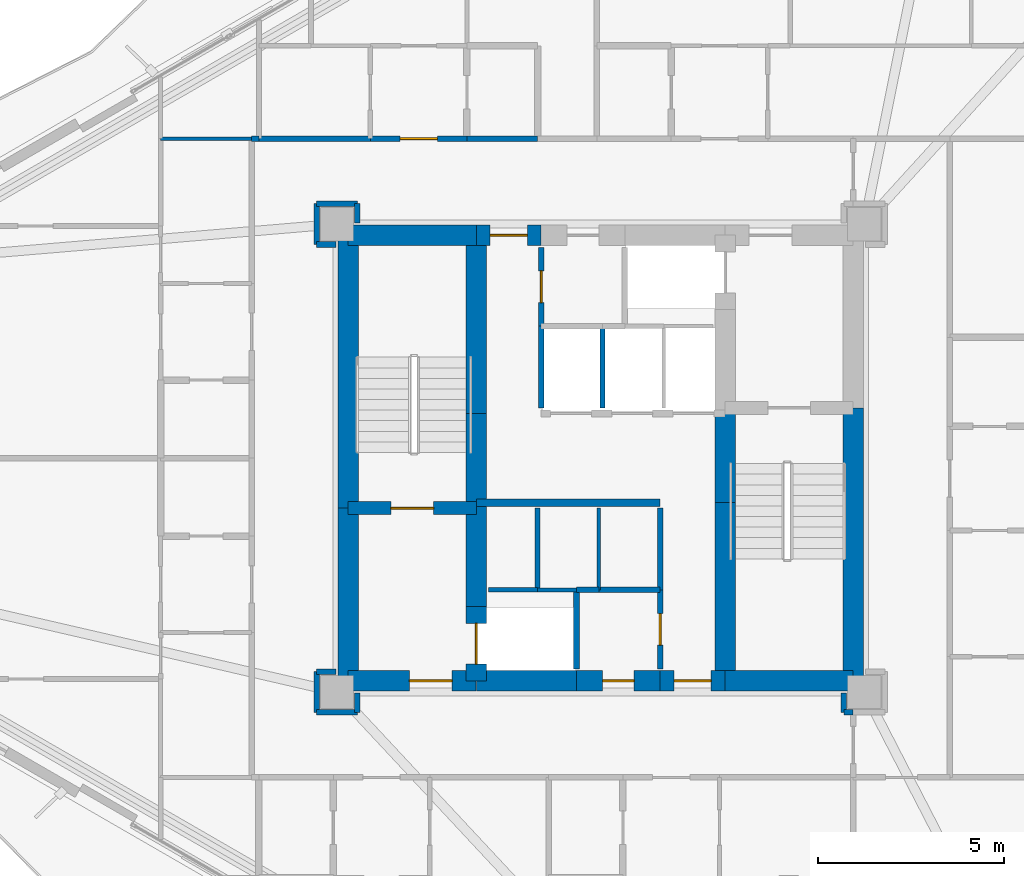
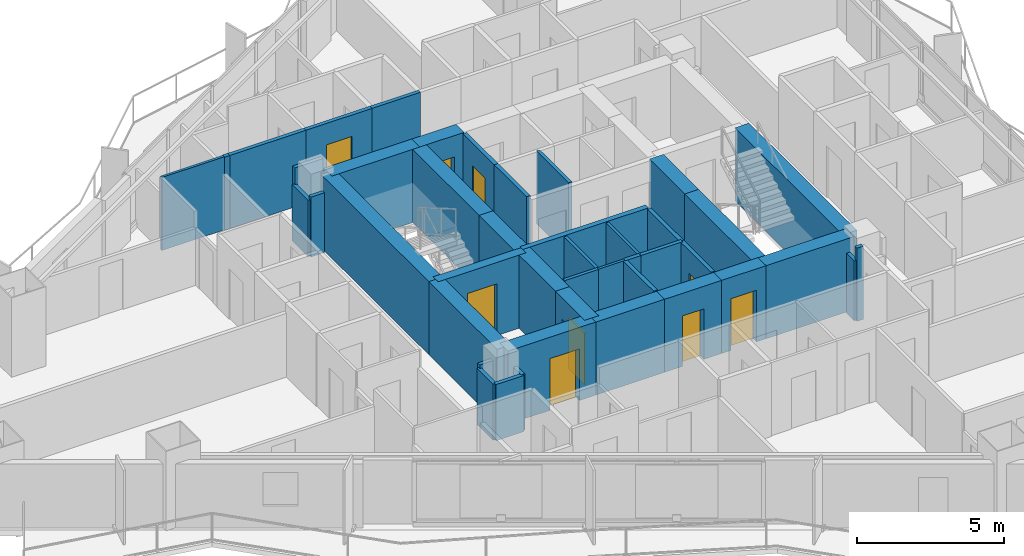
# One storey, part 13 of 18: 45 walls, 9 doors, 9 openings.
"""IFC4 building model written with IfcOpenShell, lengths in metres."""

import ifcopenshell
import ifcopenshell.guid

model = None  # the IFC model being written
_history = None  # IfcOwnerHistory: only IFC2X3 demands one
_inside = {}  # id of a spatial element -> (the spatial element, [elements in it])
_under = {}  # id of a project, library or spatial element -> (it, [spatial elements below it])
_declared = {}  # id of a project -> (the project, [libraries it declares])
_typed = {}  # id of a type object -> (the type object, [elements of that type])
_made_of = {}  # id of a material, layer set ... -> (it, [elements and type objects made of it])


def new_model(schema):
    """Start an empty IFC model of exactly this schema.

    Asked for "IFC4X3", IfcOpenShell would pick the latest addendum, in which some entities
    have other attributes; the version numbers below select the first issue.
    IFC2X3 requires an IfcOwnerHistory on every rooted entity: one is made here for all.
    """
    global model, _history
    if schema == "IFC4X3":
        model = ifcopenshell.file(schema_version=(4, 3, 0, 0))
    else:
        model = ifcopenshell.file(schema=schema)
    _inside.clear()
    _under.clear()
    _declared.clear()
    _typed.clear()
    _made_of.clear()
    _history = None
    if model.schema == "IFC2X3":
        org = make("IfcOrganization", Name="unknown")
        user = make(
            "IfcPersonAndOrganization",
            ThePerson=make("IfcPerson", FamilyName="unknown"),
            TheOrganization=org,
        )
        app = make(
            "IfcApplication",
            ApplicationDeveloper=org,
            Version="unknown",
            ApplicationFullName="unknown",
            ApplicationIdentifier="unknown",
        )
        _history = make(
            "IfcOwnerHistory",
            OwningUser=user,
            OwningApplication=app,
            ChangeAction="ADDED",
            CreationDate=0,
        )
    return model


def make(cls, **values):
    """One entity of the class cls with the attributes given. An attribute that is None is left unset."""
    return model.create_entity(
        cls, **{name: value for name, value in values.items() if value is not None}
    )


def rooted(cls, **values):
    """An entity with a GlobalId (a new one), such as an element, a storey or a relation."""
    return make(cls, GlobalId=ifcopenshell.guid.new(), OwnerHistory=_history, **values)


def si_unit(unit_type, name, prefix=None):
    """IfcSIUnit, for example si_unit("LENGTHUNIT", "METRE", prefix="MILLI")."""
    return make("IfcSIUnit", UnitType=unit_type, Prefix=prefix, Name=name)


def assignment(units):
    """IfcUnitAssignment: the units of a project."""
    return None if units is None else make("IfcUnitAssignment", Units=units)


def point(xyz):
    """IfcCartesianPoint."""
    return None if xyz is None else make("IfcCartesianPoint", Coordinates=xyz)


def direction(xyz):
    """IfcDirection."""
    return None if xyz is None else make("IfcDirection", DirectionRatios=xyz)


def frame(location, z_axis=None, x_axis=None):
    """IfcAxis2Placement3D, a coordinate frame: its origin and axes. An axis left out is left unset."""
    return make(
        "IfcAxis2Placement3D",
        Location=point(location),
        Axis=direction(z_axis),
        RefDirection=direction(x_axis),
    )


def frame_2d(location, x_axis=None):
    """IfcAxis2Placement2D, a coordinate frame in the plane: its origin and x axis."""
    return make(
        "IfcAxis2Placement2D", Location=point(location), RefDirection=direction(x_axis)
    )


def origin():
    """The frame at (0, 0, 0) with its axes left unset."""
    return frame((0.0, 0.0, 0.0))


def place(relative_to, where):
    """IfcLocalPlacement: puts the frame where relative to a parent placement (None: the world)."""
    return make(
        "IfcLocalPlacement", PlacementRelTo=relative_to, RelativePlacement=where
    )


def context(
    kind, dimensions, precision=None, world=None, true_north=None, identifier=None
):
    """IfcGeometricRepresentationContext, for example the 3D "Model" context."""
    return make(
        "IfcGeometricRepresentationContext",
        ContextIdentifier=identifier,
        ContextType=kind,
        CoordinateSpaceDimension=dimensions,
        Precision=precision,
        WorldCoordinateSystem=world,
        TrueNorth=true_north,
    )


def subcontext(parent, identifier, kind, view, scale=None):
    """IfcGeometricRepresentationSubContext, for example "Body" below "Model"."""
    return make(
        "IfcGeometricRepresentationSubContext",
        ContextIdentifier=identifier,
        ContextType=kind,
        ParentContext=parent,
        TargetScale=scale,
        TargetView=view,
    )


def project(units=None, contexts=None):
    """IfcProject with its units and contexts."""
    return rooted(
        "IfcProject",
        Name="project",
        RepresentationContexts=contexts,
        UnitsInContext=assignment(units),
    )


def spatial(cls, under=None, at=None, **own):
    """A site, building, storey or space (cls), placed at a placement, below another one or the project."""
    s = rooted(cls, ObjectPlacement=at, **own)
    if under is not None:
        _under.setdefault(under.id(), (under, []))[1].append(s)
    return s


def profile(cls, at=None, kind="AREA", **sizes):
    """A parametric profile (cls). Its sizes go by their IFC names, for example OverallWidth=200.0."""
    return make(cls, ProfileType=kind, Position=at, **sizes)


def rectangle(**sizes):
    """IfcRectangleProfileDef."""
    return profile("IfcRectangleProfileDef", **sizes)


def extrude(swept, where, along, depth):
    """IfcExtrudedAreaSolid: the profile swept, set in the frame where, extruded along a direction by depth."""
    return make(
        "IfcExtrudedAreaSolid",
        SweptArea=swept,
        Position=where,
        ExtrudedDirection=direction(along),
        Depth=depth,
    )


def shape(context_of_items, identifier, shape_type, items):
    """IfcShapeRepresentation: the items that make up one representation, for example the "Body"."""
    return make(
        "IfcShapeRepresentation",
        ContextOfItems=context_of_items,
        RepresentationIdentifier=identifier,
        RepresentationType=shape_type,
        Items=items,
    )


def material(Name=None, Category=None):
    """IfcMaterial."""
    return make("IfcMaterial", Name=Name, Category=Category)


def layer(
    of_material, thickness, ventilated=None, Name=None, Category=None, Priority=None
):
    """IfcMaterialLayer: one layer of a wall or slab, of a material (None: an air gap)."""
    return make(
        "IfcMaterialLayer",
        Material=of_material,
        LayerThickness=thickness,
        IsVentilated=ventilated,
        Name=Name,
        Category=Category,
        Priority=Priority,
    )


def layer_set(layers, Name=None):
    """IfcMaterialLayerSet."""
    return make("IfcMaterialLayerSet", MaterialLayers=layers, LayerSetName=Name)


def made_of(thing, what):
    """Note that an element or type object is made of a material, layer set ...; save() writes the relation."""
    if what is not None:
        _made_of.setdefault(what.id(), (what, []))[1].append(thing)
    return thing


def type_object(cls, material=None, **own):
    """A type object (cls), such as IfcWallType, which elements share."""
    return made_of(rooted(cls, **own), material)


def element(
    cls,
    number,
    at=None,
    inside=None,
    cuts=None,
    type_object=None,
    material=None,
    context=None,
    identifier="Body",
    shape_type=None,
    held_by="IfcProductDefinitionShape",
    body=None,
    shapes=None,
    **own,
):
    """One element of the class cls, such as IfcWall. Its Tag is "e" and its number.

    at: its placement. inside: the storey or other place that contains it. cuts: it is an
    opening in that element (IfcRelVoidsElement). A single representation is given by context,
    identifier, shape_type and body (its items); several are given by shapes. held_by: the class
    of the entity that holds the representations. save() writes the other relations.
    """
    e = rooted(cls, Tag="e%d" % number, ObjectPlacement=at, **own)
    if body is not None:
        shapes = [shape(context, identifier, shape_type, body)]
    if shapes is not None:
        e.Representation = make(held_by, Representations=shapes)
    if inside is not None:
        _inside.setdefault(inside.id(), (inside, []))[1].append(e)
    if cuts is not None:
        rooted(
            "IfcRelVoidsElement", RelatingBuildingElement=cuts, RelatedOpeningElement=e
        )
    if type_object is not None:
        _typed.setdefault(type_object.id(), (type_object, []))[1].append(e)
    return made_of(e, material)


def fill(opening, filler):
    """IfcRelFillsElement: the door or window that sits in an opening."""
    return rooted(
        "IfcRelFillsElement",
        RelatingOpeningElement=opening,
        RelatedBuildingElement=filler,
    )


def aggregate(whole, parts):
    """IfcRelAggregates: a whole, such as a stair, and the parts it consists of."""
    return rooted("IfcRelAggregates", RelatingObject=whole, RelatedObjects=parts)


def save(model, path):
    """Write the relations noted so far, then the file.

    IfcRelAggregates (storeys below a building ...), IfcRelContainedInSpatialStructure (elements
    in a storey), IfcRelDefinesByType, IfcRelAssociatesMaterial and IfcRelDeclares: one each for
    every whole, place, type object, material and project.
    """
    for whole, parts in _under.values():
        aggregate(whole, parts)
    for where, things in _inside.values():
        rooted(
            "IfcRelContainedInSpatialStructure",
            RelatedElements=things,
            RelatingStructure=where,
        )
    for kind, things in _typed.values():
        rooted("IfcRelDefinesByType", RelatedObjects=things, RelatingType=kind)
    for what, things in _made_of.values():
        rooted("IfcRelAssociatesMaterial", RelatedObjects=things, RelatingMaterial=what)
    for by, libraries in _declared.values():
        rooted("IfcRelDeclares", RelatingContext=by, RelatedDefinitions=libraries)
    model.write(path)


model = new_model("IFC4")

# Units and contexts
model_context = context("Model", 3, precision=1e-05, world=origin(), true_north=direction((0.0, 1.0)))
body_context = subcontext(model_context, "Body", "Model", "MODEL_VIEW")
ifc_project = project(units=[si_unit("LENGTHUNIT", "METRE"), si_unit("AREAUNIT", "SQUARE_METRE"), si_unit("VOLUMEUNIT", "CUBIC_METRE"), si_unit("PLANEANGLEUNIT", "RADIAN"), si_unit("MASSUNIT", "GRAM", prefix="KILO")], contexts=[model_context])

# Site, building, storey
site_placement = place(None, origin())
site = spatial("IfcSite", under=ifc_project, at=site_placement, CompositionType="ELEMENT")
building_placement = place(site_placement, origin())
building = spatial("IfcBuilding", under=site, at=building_placement, Name="Mersakhor Tower and Convention Hall", CompositionType="ELEMENT")
storey_placement = place(building_placement, frame((0.0, 0.0, 35.699951171875)))
storey = spatial("IfcBuildingStorey", under=building, at=storey_placement, Name="L09", CompositionType="ELEMENT", Elevation=35.699951171875)

# Walls
ifc_material_1 = material(Name="Lightweight gypsum partition", Category="other")
ifc_layer_1 = layer(ifc_material_1, 0.10009765625)
ifc_layer_set_1 = layer_set([ifc_layer_1], Name="Lightweight gypsum partition")
wall_type_1 = type_object("IfcWallType", Name="WL-PRT-100", PredefinedType="PARTITIONING", material=ifc_layer_set_1)
wall_1_placement = place(storey_placement, frame((27.300048828125, 23.199951171875, 0.0), z_axis=(0.0, 0.0, 1.0), x_axis=(1.0, 0.0, 0.0)))
element("IfcWall", 1, at=wall_1_placement, inside=storey, type_object=wall_type_1, Name="L09 Interior Partition Wall P-002", PredefinedType="PARTITIONING", context=body_context, shape_type="SweptSolid", body=[
    extrude(rectangle(XDim=1.050048828125, YDim=0.10009765625, at=frame_2d((0.52490234375, 0.0))), origin(), (0.0, 0.0, 1.0), 3.0400390625),
])
wall_2_placement = place(storey_placement, frame((28.949951171875, 25.39990234375, 0.0), z_axis=(0.0, 0.0, 1.0), x_axis=(0.0, -1.0, 0.0)))
element("IfcWall", 2, at=wall_2_placement, inside=storey, type_object=wall_type_1, Name="L09 Interior Partition Wall P-008", PredefinedType="PARTITIONING", context=body_context, shape_type="SweptSolid", body=[
    extrude(rectangle(XDim=2.199951171875, YDim=0.10009765625, at=frame_2d((1.10009765625, 0.0))), origin(), (0.0, 0.0, 1.0), 3.0400390625),
])
wall_3_placement = place(storey_placement, frame((17.14990234375, 35.35009765625, 0.0), z_axis=(0.0, 0.0, 1.0), x_axis=(1.0, 0.0, 0.0)))
element("IfcWall", 3, at=wall_3_placement, inside=storey, type_object=wall_type_1, Name="L09 Interior Partition Wall P-112", PredefinedType="PARTITIONING", context=body_context, shape_type="SweptSolid", body=[
    extrude(rectangle(XDim=2.4501953125, YDim=0.10009765625, at=frame_2d((1.22509765625, 0.0))), origin(), (0.0, 0.0, 1.0), 3.0400390625),
])
ifc_material_2 = material(Name="Gypsum board acoustic partition", Category="other")
ifc_layer_2 = layer(ifc_material_2, 0.125)
ifc_layer_set_2 = layer_set([ifc_layer_2], Name="Gypsum board acoustic partition")
wall_type_2 = type_object("IfcWallType", Name="WL-PRT-125", PredefinedType="PARTITIONING", material=ifc_layer_set_2)
wall_4_placement = place(storey_placement, frame((25.97509765625, 23.199951171875, 0.0), z_axis=(0.0, 0.0, 1.0), x_axis=(1.0, 0.0, 0.0)))
element("IfcWall", 4, at=wall_4_placement, inside=storey, type_object=wall_type_2, Name="L09 Interior Partition Wall P-001", PredefinedType="PARTITIONING", context=body_context, shape_type="SweptSolid", body=[
    extrude(rectangle(XDim=1.324951171875, YDim=0.125, at=frame_2d((0.66259765625, 0.0))), origin(), (0.0, 0.0, 1.0), 3.0400390625),
])
for number, where, z_axis, x_axis, name in (
    (5, (27.300048828125, 25.39990234375, 0.0), (0.0, 0.0, 1.0), (0.0, -1.0, 0.0), "L09 Interior Partition Wall P-007"),
    (6, (29.050048828125, 30.300048828125, 0.0), (0.0, 0.0, 1.0), (0.0, -1.0, 0.0), "L09 Interior Partition Wall P-013"),
):
    element("IfcWall", number, at=place(storey_placement, frame(where, z_axis=z_axis, x_axis=x_axis)), inside=storey, type_object=wall_type_2, Name=name, PredefinedType="PARTITIONING", context=body_context, shape_type="SweptSolid", body=[
        extrude(rectangle(XDim=2.199951171875, YDim=0.125, at=frame_2d((1.10009765625, 0.0))), origin(), (0.0, 0.0, 1.0), 3.0400390625),
    ])
ifc_material_3 = material(Name="Fire-rated gypsum board stud partition", Category="other")
ifc_layer_3 = layer(ifc_material_3, 0.14990234375)
ifc_layer_set_3 = layer_set([ifc_layer_3], Name="Fire-rated gypsum board stud partition")
wall_type_3 = type_object("IfcWallType", Name="WL-PRT-150", PredefinedType="PARTITIONING", material=ifc_layer_set_3)
wall_5_placement = place(storey_placement, frame((28.35009765625, 23.199951171875, 0.0), z_axis=(0.0, 0.0, 1.0), x_axis=(0.0, -1.0, 0.0)))
element("IfcWall", 7, at=wall_5_placement, inside=storey, type_object=wall_type_3, Name="L09 Interior Partition Wall P-003", PredefinedType="PARTITIONING", context=body_context, shape_type="SweptSolid", body=[
    extrude(rectangle(XDim=2.125, YDim=0.14990234375, at=frame_2d((1.0625, 0.0))), origin(), (0.0, 0.0, 1.0), 3.0400390625),
])
wall_6_placement = place(storey_placement, frame((28.949951171875, 23.199951171875, 0.0), z_axis=(0.0, 0.0, 1.0), x_axis=(-1.0, 0.0, 0.0)))
element("IfcWall", 8, at=wall_6_placement, inside=storey, type_object=wall_type_3, Name="L09 Interior Partition Wall P-009", PredefinedType="PARTITIONING", context=body_context, shape_type="SweptSolid", body=[
    extrude(rectangle(XDim=0.599853515625, YDim=0.14990234375, at=frame_2d((0.2998046875, 0.0))), origin(), (0.0, 0.0, 1.0), 3.0400390625),
])
wall_7_placement = place(storey_placement, frame((30.60009765625, 25.39990234375, 0.0), z_axis=(0.0, 0.0, 1.0), x_axis=(0.0, -1.0, 0.0)))
element("IfcWall", 9, at=wall_7_placement, inside=storey, type_object=wall_type_3, Name="L09 Interior Partition Wall P-010", PredefinedType="PARTITIONING", context=body_context, shape_type="SweptSolid", body=[
    extrude(rectangle(XDim=2.199951171875, YDim=0.14990234375, at=frame_2d((1.10009765625, 0.0))), origin(), (0.0, 0.0, 1.0), 3.0400390625),
])
wall_8_placement = place(storey_placement, frame((30.60009765625, 23.199951171875, 0.0), z_axis=(0.0, 0.0, 1.0), x_axis=(-1.0, 0.0, 0.0)))
element("IfcWall", 10, at=wall_8_placement, inside=storey, type_object=wall_type_3, Name="L09 Interior Partition Wall P-011", PredefinedType="PARTITIONING", context=body_context, shape_type="SweptSolid", body=[
    extrude(rectangle(XDim=1.650146484375, YDim=0.14990234375, at=frame_2d((0.8251953125, 0.0))), origin(), (0.0, 0.0, 1.0), 3.0400390625),
])
wall_9_placement = place(storey_placement, frame((27.39990234375, 28.10009765625, 0.0), z_axis=(0.0, 0.0, 1.0), x_axis=(0.0, 1.0, 0.0)))
element("IfcWall", 11, at=wall_9_placement, inside=storey, type_object=wall_type_3, Name="L09 Interior Partition Wall P-014", PredefinedType="PARTITIONING", context=body_context, shape_type="SweptSolid", body=[
    extrude(rectangle(XDim=2.199951171875, YDim=0.14990234375, at=frame_2d((1.10009765625, 0.0))), origin(), (0.0, 0.0, 1.0), 3.0400390625),
])

# Wall, opening, door
wall_10_placement = place(storey_placement, frame((30.60009765625, 21.074951171875, 0.0), z_axis=(0.0, 0.0, 1.0), x_axis=(0.0, 1.0, 0.0)))
wall_10 = element("IfcWall", 12, at=wall_10_placement, inside=storey, type_object=wall_type_3, Name="L09 Interior Partition Wall P-017", PredefinedType="PARTITIONING", context=body_context, shape_type="SweptSolid", body=[
    extrude(rectangle(XDim=2.125, YDim=0.14990234375, at=frame_2d((1.0625, 0.0))), origin(), (0.0, 0.0, 1.0), 3.0400390625),
])
opening_1_placement = place(wall_10_placement, frame((0.637451171875, 0.0, 0.0)))
opening_1 = element("IfcOpeningElement", 13, at=opening_1_placement, cuts=wall_10, Name="Opening SVD-01", PredefinedType="OPENING", context=body_context, shape_type="SweptSolid", body=[
    extrude(rectangle(XDim=0.85009765625, YDim=2.10009765625, at=frame_2d((0.425048828125, 1.050048828125))), frame((0.0, 0.0849609375, 0.0), z_axis=(0.0, -1.0, 0.0), x_axis=(1.0, 0.0, 0.0)), (0.0, 0.0, 1.0), 0.169921875),
])
ifc_material_4 = material(Name="Fire-rated hardwood leaf and painted steel frame", Category="steel")
door_type_1 = type_object("IfcDoorType", Name="DR-INT-SVC-085x210", OperationType="NOTDEFINED", PredefinedType="DOOR", material=ifc_material_4)
door_1_placement = place(opening_1_placement, origin())
door_1 = element("IfcDoor", 14, at=door_1_placement, inside=storey, type_object=door_type_1, Name="L09 Central Passenger Lift Lobby to Electrical Switchroom Door", OperationType="SINGLE_SWING_RIGHT", OverallHeight=2.10009765625, OverallWidth=0.85009765625, PredefinedType="DOOR", context=body_context, shape_type="SweptSolid", body=[
    extrude(rectangle(XDim=0.85009765625, YDim=2.10009765625, at=frame_2d((0.425048828125, 1.050048828125))), frame((0.0, 0.02490234375, 0.0), z_axis=(0.0, -1.0, 0.0), x_axis=(1.0, 0.0, 0.0)), (0.0, 0.0, 1.0), 0.050048828125),
])
fill(opening_1, door_1)

wall_11_placement = place(storey_placement, frame((27.39990234375, 32.425048828125, 0.0), z_axis=(0.0, 0.0, 1.0), x_axis=(0.0, -1.0, 0.0)))
wall_11 = element("IfcWall", 15, at=wall_11_placement, inside=storey, type_object=wall_type_3, Name="L09 Interior Partition Wall P-018", PredefinedType="PARTITIONING", context=body_context, shape_type="SweptSolid", body=[
    extrude(rectangle(XDim=2.125, YDim=0.14990234375, at=frame_2d((1.0625, 0.0))), origin(), (0.0, 0.0, 1.0), 3.0400390625),
])
opening_2_placement = place(wall_11_placement, frame((0.637451171875, 0.0, 0.0)))
opening_2 = element("IfcOpeningElement", 16, at=opening_2_placement, cuts=wall_11, Name="Opening SVD-01", PredefinedType="OPENING", context=body_context, shape_type="SweptSolid", body=[
    extrude(rectangle(XDim=0.85009765625, YDim=2.10009765625, at=frame_2d((0.425048828125, 1.050048828125))), frame((0.0, 0.0849609375, 0.0), z_axis=(0.0, -1.0, 0.0), x_axis=(1.0, 0.0, 0.0)), (0.0, 0.0, 1.0), 0.169921875),
])
door_2_placement = place(opening_2_placement, origin())
door_2 = element("IfcDoor", 17, at=door_2_placement, inside=storey, type_object=door_type_1, Name="L09 Central Passenger Lift Lobby to Telecoms and BMS Riser Room Door", OperationType="SINGLE_SWING_LEFT", OverallHeight=2.10009765625, OverallWidth=0.85009765625, PredefinedType="DOOR", context=body_context, shape_type="SweptSolid", body=[
    extrude(rectangle(XDim=0.85009765625, YDim=2.10009765625, at=frame_2d((0.425048828125, 1.050048828125))), frame((0.0, 0.02490234375, 0.0), z_axis=(0.0, -1.0, 0.0), x_axis=(1.0, 0.0, 0.0)), (0.0, 0.0, 1.0), 0.050048828125),
])
fill(opening_2, door_2)

# Walls
wall_12_placement = place(storey_placement, frame((21.35009765625, 19.89990234375, 0.0), z_axis=(0.0, 0.0, 1.0), x_axis=(1.0, 0.0, 0.0)))
element("IfcWall", 18, at=wall_12_placement, inside=storey, type_object=wall_type_3, Name="L09 Interior Partition Wall P-019", PredefinedType="PARTITIONING", context=body_context, shape_type="SweptSolid", body=[
    extrude(rectangle(XDim=1.099853515625, YDim=0.14990234375, at=frame_2d((0.5498046875, 0.0))), origin(), (0.0, 0.0, 1.0), 2.337646484375),
])
wall_13_placement = place(storey_placement, frame((22.449951171875, 19.89990234375, 0.0), z_axis=(0.0, 0.0, 1.0), x_axis=(0.0, 1.0, 0.0)))
element("IfcWall", 19, at=wall_13_placement, inside=storey, type_object=wall_type_3, Name="L09 Interior Partition Wall P-020", PredefinedType="PARTITIONING", context=body_context, shape_type="SweptSolid", body=[
    extrude(rectangle(XDim=0.525146484375, YDim=0.14990234375, at=frame_2d((0.2626953125, 0.0))), origin(), (0.0, 0.0, 1.0), 2.337646484375),
])
wall_14_placement = place(storey_placement, frame((35.550048828125, 20.425048828125, 0.0), z_axis=(0.0, 0.0, 1.0), x_axis=(0.0, -1.0, 0.0)))
element("IfcWall", 20, at=wall_14_placement, inside=storey, type_object=wall_type_3, Name="L09 Interior Partition Wall P-021", PredefinedType="PARTITIONING", context=body_context, shape_type="SweptSolid", body=[
    extrude(rectangle(XDim=0.525146484375, YDim=0.14990234375, at=frame_2d((0.2626953125, 0.0))), origin(), (0.0, 0.0, 1.0), 2.48828125),
])
wall_15_placement = place(storey_placement, frame((35.550048828125, 19.89990234375, 0.0), z_axis=(0.0, 0.0, 1.0), x_axis=(1.0, 0.0, 0.0)))
element("IfcWall", 21, at=wall_15_placement, inside=storey, type_object=wall_type_3, Name="L09 Interior Partition Wall P-022", PredefinedType="PARTITIONING", context=body_context, shape_type="SweptSolid", body=[
    extrude(rectangle(XDim=0.25, YDim=0.14990234375, at=frame_2d((0.125, 0.0))), origin(), (0.0, 0.0, 1.0), 3.0400390625),
])
wall_16_placement = place(storey_placement, frame((19.60009765625, 35.35009765625, 0.0), z_axis=(0.0, 0.0, 1.0), x_axis=(1.0, 0.0, 0.0)))
element("IfcWall", 22, at=wall_16_placement, inside=storey, type_object=wall_type_3, Name="L09 Interior Partition Wall P-037", PredefinedType="PARTITIONING", context=body_context, shape_type="SweptSolid", body=[
    extrude(rectangle(XDim=0.199951171875, YDim=0.14990234375, at=frame_2d((0.10009765625, 0.0))), origin(), (0.0, 0.0, 1.0), 3.0400390625),
])
wall_17_placement = place(storey_placement, frame((19.800048828125, 35.35009765625, 0.0), z_axis=(0.0, 0.0, 1.0), x_axis=(1.0, 0.0, 0.0)))
element("IfcWall", 23, at=wall_17_placement, inside=storey, type_object=wall_type_3, Name="L09 Interior Partition Wall P-038", PredefinedType="PARTITIONING", context=body_context, shape_type="SweptSolid", body=[
    extrude(rectangle(XDim=3.0, YDim=0.14990234375, at=frame_2d((1.5, 0.0))), origin(), (0.0, 0.0, 1.0), 3.0400390625),
])

# Wall, opening, door
wall_18_placement = place(storey_placement, frame((22.800048828125, 35.35009765625, 0.0), z_axis=(0.0, 0.0, 1.0), x_axis=(1.0, 0.0, 0.0)))
wall_18 = element("IfcWall", 24, at=wall_18_placement, inside=storey, type_object=wall_type_3, Name="L09 Interior Partition Wall P-039", PredefinedType="PARTITIONING", context=body_context, shape_type="SweptSolid", body=[
    extrude(rectangle(XDim=2.599853515625, YDim=0.14990234375, at=frame_2d((1.2998046875, 0.0))), origin(), (0.0, 0.0, 1.0), 3.0400390625),
])
opening_3_placement = place(wall_18_placement, frame((0.800048828125, 0.0, 0.0)))
opening_3 = element("IfcOpeningElement", 25, at=opening_3_placement, cuts=wall_18, Name="Opening FD-01", PredefinedType="OPENING", context=body_context, shape_type="SweptSolid", body=[
    extrude(rectangle(XDim=1.0, YDim=2.14990234375, at=frame_2d((0.5, 1.074951171875))), frame((0.0, 0.0849609375, 0.0), z_axis=(0.0, -1.0, 0.0), x_axis=(1.0, 0.0, 0.0)), (0.0, 0.0, 1.0), 0.169921875),
])
ifc_material_5 = material(Name="Fire-rated hardwood leaf and painted steel frame", Category="steel")
door_type_2 = type_object("IfcDoorType", Name="DR-INT-FLT-100x215", OperationType="NOTDEFINED", PredefinedType="DOOR", material=ifc_material_5)
door_3_placement = place(opening_3_placement, origin())
door_3 = element("IfcDoor", 26, at=door_3_placement, inside=storey, type_object=door_type_2, Name="L09 Apartment Entrance Door (Residential Ring Corridor to L09 Flat N1 Apartment Hall)", OperationType="SINGLE_SWING_RIGHT", OverallHeight=2.14990234375, OverallWidth=1.0, PredefinedType="DOOR", context=body_context, shape_type="SweptSolid", body=[
    extrude(rectangle(XDim=1.0, YDim=2.14990234375, at=frame_2d((0.5, 1.074951171875))), frame((0.0, 0.02490234375, 0.0), z_axis=(0.0, -1.0, 0.0), x_axis=(1.0, 0.0, 0.0)), (0.0, 0.0, 1.0), 0.050048828125),
])
fill(opening_3, door_3)

# Walls
wall_19_placement = place(storey_placement, frame((25.39990234375, 35.35009765625, 0.0), z_axis=(0.0, 0.0, 1.0), x_axis=(1.0, 0.0, 0.0)))
element("IfcWall", 27, at=wall_19_placement, inside=storey, type_object=wall_type_3, Name="L09 Interior Partition Wall P-040", PredefinedType="PARTITIONING", context=body_context, shape_type="SweptSolid", body=[
    extrude(rectangle(XDim=1.900146484375, YDim=0.14990234375, at=frame_2d((0.9501953125, 0.0))), origin(), (0.0, 0.0, 1.0), 3.0400390625),
])
wall_20_placement = place(storey_placement, frame((22.449951171875, 33.074951171875, 0.0), z_axis=(0.0, 0.0, 1.0), x_axis=(0.0, 1.0, 0.0)))
element("IfcWall", 28, at=wall_20_placement, inside=storey, type_object=wall_type_3, Name="L09 Interior Partition Wall P-048", PredefinedType="PARTITIONING", context=body_context, shape_type="SweptSolid", body=[
    extrude(rectangle(XDim=0.525146484375, YDim=0.14990234375, at=frame_2d((0.2626953125, 0.0))), origin(), (0.0, 0.0, 1.0), 2.48828125),
])
wall_21_placement = place(storey_placement, frame((22.449951171875, 33.60009765625, 0.0), z_axis=(0.0, 0.0, 1.0), x_axis=(-1.0, 0.0, 0.0)))
element("IfcWall", 29, at=wall_21_placement, inside=storey, type_object=wall_type_3, Name="L09 Interior Partition Wall P-049", PredefinedType="PARTITIONING", context=body_context, shape_type="SweptSolid", body=[
    extrude(rectangle(XDim=1.099853515625, YDim=0.14990234375, at=frame_2d((0.5498046875, 0.0))), origin(), (0.0, 0.0, 1.0), 3.0400390625),
])
wall_22_placement = place(storey_placement, frame((21.35009765625, 33.60009765625, 0.0), z_axis=(0.0, 0.0, 1.0), x_axis=(0.0, -1.0, 0.0)))
element("IfcWall", 30, at=wall_22_placement, inside=storey, type_object=wall_type_3, Name="L09 Interior Partition Wall P-050", PredefinedType="PARTITIONING", context=body_context, shape_type="SweptSolid", body=[
    extrude(rectangle(XDim=1.10009765625, YDim=0.14990234375, at=frame_2d((0.550048828125, 0.0))), origin(), (0.0, 0.0, 1.0), 2.337646484375),
])
for number, where, z_axis, x_axis, name in (
    (31, (21.35009765625, 32.5, 0.0), (0.0, 0.0, 1.0), (1.0, 0.0, 0.0), "L09 Interior Partition Wall P-051"),
    (32, (21.875, 21.0, 0.0), (0.0, 0.0, 1.0), (-1.0, 0.0, 0.0), "L09 Interior Partition Wall P-052"),
):
    element("IfcWall", number, at=place(storey_placement, frame(where, z_axis=z_axis, x_axis=x_axis)), inside=storey, type_object=wall_type_3, Name=name, PredefinedType="PARTITIONING", context=body_context, shape_type="SweptSolid", body=[
        extrude(rectangle(XDim=0.52490234375, YDim=0.14990234375, at=frame_2d((0.262451171875, 0.0))), origin(), (0.0, 0.0, 1.0), 2.48828125),
    ])
wall_23_placement = place(storey_placement, frame((21.35009765625, 21.0, 0.0), z_axis=(0.0, 0.0, 1.0), x_axis=(0.0, -1.0, 0.0)))
element("IfcWall", 33, at=wall_23_placement, inside=storey, type_object=wall_type_3, Name="L09 Interior Partition Wall P-053", PredefinedType="PARTITIONING", context=body_context, shape_type="SweptSolid", body=[
    extrude(rectangle(XDim=1.10009765625, YDim=0.14990234375, at=frame_2d((0.550048828125, 0.0))), origin(), (0.0, 0.0, 1.0), 2.337646484375),
])
ifc_material_6 = material(Name="Acoustic concrete blockwork and gypsum board", Category="masonry")
ifc_layer_4 = layer(ifc_material_6, 0.199951171875)
ifc_layer_set_4 = layer_set([ifc_layer_4], Name="Acoustic concrete blockwork and gypsum board")
wall_type_4 = type_object("IfcWallType", Name="WL-PRT-200", PredefinedType="PARTITIONING", material=ifc_layer_set_4)
wall_24_placement = place(storey_placement, frame((25.64990234375, 25.550048828125, 0.0), z_axis=(0.0, 0.0, 1.0), x_axis=(1.0, 0.0, 0.0)))
element("IfcWall", 34, at=wall_24_placement, inside=storey, type_object=wall_type_4, Name="L09 High-Rise Lift Bank Front Wall", PredefinedType="PARTITIONING", context=body_context, shape_type="SweptSolid", body=[
    extrude(rectangle(XDim=4.9501953125, YDim=0.199951171875, at=frame_2d((2.47509765625, 0.0))), origin(), (0.0, 0.0, 1.0), 3.0400390625),
])

# Wall, opening, door
ifc_material_7 = material(Name="Concrete C50/60", Category="concrete")
ifc_layer_5 = layer(ifc_material_7, 0.35009765625)
ifc_layer_set_5 = layer_set([ifc_layer_5], Name="Concrete C50/60")
wall_type_5 = type_object("IfcWallType", Name="WL-SHR-350", PredefinedType="SHEAR", material=ifc_layer_set_5)
wall_25_placement = place(storey_placement, frame((22.199951171875, 25.39990234375, 0.0), z_axis=(0.0, 0.0, 1.0), x_axis=(1.0, 0.0, 0.0)))
wall_25 = element("IfcWall", 35, at=wall_25_placement, inside=storey, type_object=wall_type_5, Name="L09 Core Wall CS-ST1-S", PredefinedType="SHEAR", context=body_context, shape_type="SweptSolid", body=[
    extrude(rectangle(XDim=3.449951171875, YDim=0.35009765625, at=frame_2d((1.72509765625, 0.0))), origin(), (0.0, 0.0, 1.0), 3.0400390625),
])
opening_4_placement = place(wall_25_placement, frame((1.14990234375, 0.0, 0.0)))
opening_4 = element("IfcOpeningElement", 36, at=opening_4_placement, cuts=wall_25, Name="Opening SD-01", PredefinedType="OPENING", context=body_context, shape_type="SweptSolid", body=[
    extrude(rectangle(XDim=1.14990234375, YDim=2.14990234375, at=frame_2d((0.574951171875, 1.074951171875))), frame((0.0, 0.18505859375, 0.0), z_axis=(0.0, -1.0, 0.0), x_axis=(1.0, 0.0, 0.0)), (0.0, 0.0, 1.0), 0.3701171875),
])
ifc_material_8 = material(Name="Fire-rated hardwood leaf and painted steel frame", Category="steel")
door_type_3 = type_object("IfcDoorType", Name="DR-INT-STAIR-115x215", OperationType="NOTDEFINED", PredefinedType="DOOR", material=ifc_material_8)
door_4_placement = place(opening_4_placement, origin())
door_4 = element("IfcDoor", 37, at=door_4_placement, inside=storey, type_object=door_type_3, Name="L09 Exit Stair ST-1 Enclosure Door", OperationType="SINGLE_SWING_LEFT", OverallHeight=2.14990234375, OverallWidth=1.14990234375, PredefinedType="DOOR", context=body_context, shape_type="SweptSolid", body=[
    extrude(rectangle(XDim=1.14990234375, YDim=2.14990234375, at=frame_2d((0.574951171875, 1.074951171875))), frame((0.0, 0.02490234375, 0.0), z_axis=(0.0, -1.0, 0.0), x_axis=(1.0, 0.0, 0.0)), (0.0, 0.0, 1.0), 0.050048828125),
])
fill(opening_4, door_4)

# Walls
ifc_material_9 = material(Name="Concrete C70/85", Category="concrete")
ifc_layer_6 = layer(ifc_material_9, 0.550048828125)
ifc_layer_set_6 = layer_set([ifc_layer_6], Name="Concrete C70/85")
wall_type_6 = type_object("IfcWallType", Name="WL-SHR-550", PredefinedType="SHEAR", material=ifc_layer_set_6)
wall_26_placement = place(storey_placement, frame((22.199951171875, 20.75, 0.0), z_axis=(0.0, 0.0, 1.0), x_axis=(0.0, 1.0, 0.0)))
element("IfcWall", 38, at=wall_26_placement, inside=storey, type_object=wall_type_6, Name="L09 Core Wall CW-W1", PredefinedType="SHEAR", context=body_context, shape_type="SweptSolid", body=[
    extrude(rectangle(XDim=4.64990234375, YDim=0.550048828125, at=frame_2d((2.324951171875, 0.0))), origin(), (0.0, 0.0, 1.0), 3.0400390625),
])
wall_27_placement = place(storey_placement, frame((22.199951171875, 25.39990234375, 0.0), z_axis=(0.0, 0.0, 1.0), x_axis=(0.0, 1.0, 0.0)))
element("IfcWall", 39, at=wall_27_placement, inside=storey, type_object=wall_type_6, Name="L09 Core Wall CW-W2", PredefinedType="SHEAR", context=body_context, shape_type="SweptSolid", body=[
    extrude(rectangle(XDim=7.35009765625, YDim=0.550048828125, at=frame_2d((3.675048828125, 0.0))), origin(), (0.0, 0.0, 1.0), 3.0400390625),
])
wall_28_placement = place(storey_placement, frame((22.199951171875, 32.75, 0.0), z_axis=(0.0, 0.0, 1.0), x_axis=(1.0, 0.0, 0.0)))
element("IfcWall", 40, at=wall_28_placement, inside=storey, type_object=wall_type_6, Name="L09 Core Wall CW-N1", PredefinedType="SHEAR", context=body_context, shape_type="SweptSolid", body=[
    extrude(rectangle(XDim=3.449951171875, YDim=0.550048828125, at=frame_2d((1.72509765625, 0.0))), origin(), (0.0, 0.0, 1.0), 3.0400390625),
])

# Wall, opening, door
wall_29_placement = place(storey_placement, frame((25.64990234375, 32.75, 0.0), z_axis=(0.0, 0.0, 1.0), x_axis=(1.0, 0.0, 0.0)))
wall_29 = element("IfcWall", 41, at=wall_29_placement, inside=storey, type_object=wall_type_6, Name="L09 Core Wall CW-N2A", PredefinedType="SHEAR", context=body_context, shape_type="SweptSolid", body=[
    extrude(rectangle(XDim=1.75, YDim=0.550048828125, at=frame_2d((0.875, 0.0))), origin(), (0.0, 0.0, 1.0), 3.0400390625),
])
opening_5_placement = place(wall_29_placement, frame((0.375, 0.0, 0.0)))
opening_5 = element("IfcOpeningElement", 42, at=opening_5_placement, cuts=wall_29, Name="Opening CFD-01", PredefinedType="OPENING", context=body_context, shape_type="SweptSolid", body=[
    extrude(rectangle(XDim=1.0, YDim=2.14990234375, at=frame_2d((0.5, 1.074951171875))), frame((0.0, 0.284912109375, 0.0), z_axis=(0.0, -1.0, 0.0), x_axis=(1.0, 0.0, 0.0)), (0.0, 0.0, 1.0), 0.570068359375),
])
ifc_material_10 = material(Name="Fire-rated hardwood leaf and painted steel frame", Category="steel")
door_type_4 = type_object("IfcDoorType", Name="DR-CORE-FD-100x215", OperationType="NOTDEFINED", PredefinedType="DOOR", material=ifc_material_10)
door_5_placement = place(opening_5_placement, origin())
door_5 = element("IfcDoor", 43, at=door_5_placement, inside=storey, type_object=door_type_4, Name="L09 Lift Lobby North Corridor Door", OperationType="SINGLE_SWING_LEFT", OverallHeight=2.14990234375, OverallWidth=1.0, PredefinedType="DOOR", context=body_context, shape_type="SweptSolid", body=[
    extrude(rectangle(XDim=1.0, YDim=2.14990234375, at=frame_2d((0.5, 1.074951171875))), frame((0.0, 0.02490234375, 0.0), z_axis=(0.0, -1.0, 0.0), x_axis=(1.0, 0.0, 0.0)), (0.0, 0.0, 1.0), 0.050048828125),
])
fill(opening_5, door_5)

# Walls
wall_30_placement = place(storey_placement, frame((35.800048828125, 28.10009765625, 0.0), z_axis=(0.0, 0.0, 1.0), x_axis=(0.0, -1.0, 0.0)))
element("IfcWall", 44, at=wall_30_placement, inside=storey, type_object=wall_type_6, Name="L09 Core Wall CW-E2", PredefinedType="SHEAR", context=body_context, shape_type="SweptSolid", body=[
    extrude(rectangle(XDim=7.35009765625, YDim=0.550048828125, at=frame_2d((3.675048828125, 0.0))), origin(), (0.0, 0.0, 1.0), 3.0400390625),
])
wall_31_placement = place(storey_placement, frame((35.800048828125, 20.75, 0.0), z_axis=(0.0, 0.0, 1.0), x_axis=(-1.0, 0.0, 0.0)))
element("IfcWall", 45, at=wall_31_placement, inside=storey, type_object=wall_type_6, Name="L09 Core Wall CW-S1", PredefinedType="SHEAR", context=body_context, shape_type="SweptSolid", body=[
    extrude(rectangle(XDim=3.449951171875, YDim=0.550048828125, at=frame_2d((1.72509765625, 0.0))), origin(), (0.0, 0.0, 1.0), 3.0400390625),
])

# Wall, opening, door
wall_32_placement = place(storey_placement, frame((32.35009765625, 20.75, 0.0), z_axis=(0.0, 0.0, 1.0), x_axis=(-1.0, 0.0, 0.0)))
wall_32 = element("IfcWall", 46, at=wall_32_placement, inside=storey, type_object=wall_type_6, Name="L09 Core Wall CW-S2A", PredefinedType="SHEAR", context=body_context, shape_type="SweptSolid", body=[
    extrude(rectangle(XDim=1.75, YDim=0.550048828125, at=frame_2d((0.875, 0.0))), origin(), (0.0, 0.0, 1.0), 3.0400390625),
])
opening_6_placement = place(wall_32_placement, frame((0.375, 0.0, 0.0)))
opening_6 = element("IfcOpeningElement", 47, at=opening_6_placement, cuts=wall_32, Name="Opening CFD-01", PredefinedType="OPENING", context=body_context, shape_type="SweptSolid", body=[
    extrude(rectangle(XDim=1.0, YDim=2.14990234375, at=frame_2d((0.5, 1.074951171875))), frame((0.0, 0.284912109375, 0.0), z_axis=(0.0, -1.0, 0.0), x_axis=(1.0, 0.0, 0.0)), (0.0, 0.0, 1.0), 0.570068359375),
])
door_6_placement = place(opening_6_placement, origin())
door_6 = element("IfcDoor", 48, at=door_6_placement, inside=storey, type_object=door_type_4, Name="L09 Lift Lobby South Corridor Door", OperationType="SINGLE_SWING_RIGHT", OverallHeight=2.14990234375, OverallWidth=1.0, PredefinedType="DOOR", context=body_context, shape_type="SweptSolid", body=[
    extrude(rectangle(XDim=1.0, YDim=2.14990234375, at=frame_2d((0.5, 1.074951171875))), frame((0.0, 0.02490234375, 0.0), z_axis=(0.0, -1.0, 0.0), x_axis=(1.0, 0.0, 0.0)), (0.0, 0.0, 1.0), 0.050048828125),
])
fill(opening_6, door_6)

wall_33_placement = place(storey_placement, frame((30.60009765625, 20.75, 0.0), z_axis=(0.0, 0.0, 1.0), x_axis=(-1.0, 0.0, 0.0)))
wall_33 = element("IfcWall", 49, at=wall_33_placement, inside=storey, type_object=wall_type_6, Name="L09 Core Wall CW-S2B", PredefinedType="SHEAR", context=body_context, shape_type="SweptSolid", body=[
    extrude(rectangle(XDim=2.25, YDim=0.550048828125, at=frame_2d((1.125, 0.0))), origin(), (0.0, 0.0, 1.0), 3.0400390625),
])
opening_7_placement = place(wall_33_placement, frame((0.699951171875, 0.0, 0.0)))
opening_7 = element("IfcOpeningElement", 50, at=opening_7_placement, cuts=wall_33, Name="Opening SVD-01", PredefinedType="OPENING", context=body_context, shape_type="SweptSolid", body=[
    extrude(rectangle(XDim=0.85009765625, YDim=2.10009765625, at=frame_2d((0.425048828125, 1.050048828125))), frame((0.0, 0.284912109375, 0.0), z_axis=(0.0, -1.0, 0.0), x_axis=(1.0, 0.0, 0.0)), (0.0, 0.0, 1.0), 0.570068359375),
])
door_7_placement = place(opening_7_placement, origin())
door_7 = element("IfcDoor", 51, at=door_7_placement, inside=storey, type_object=door_type_1, Name="L09 Residential Ring Corridor to Electrical Switchroom Door", OperationType="SINGLE_SWING_RIGHT", OverallHeight=2.10009765625, OverallWidth=0.85009765625, PredefinedType="DOOR", context=body_context, shape_type="SweptSolid", body=[
    extrude(rectangle(XDim=0.85009765625, YDim=2.10009765625, at=frame_2d((0.425048828125, 1.050048828125))), frame((0.0, 0.02490234375, 0.0), z_axis=(0.0, -1.0, 0.0), x_axis=(1.0, 0.0, 0.0)), (0.0, 0.0, 1.0), 0.050048828125),
])
fill(opening_7, door_7)

# Wall
wall_34_placement = place(storey_placement, frame((28.35009765625, 20.75, 0.0), z_axis=(0.0, 0.0, 1.0), x_axis=(-1.0, 0.0, 0.0)))
element("IfcWall", 52, at=wall_34_placement, inside=storey, type_object=wall_type_6, Name="L09 Core Wall CW-S3", PredefinedType="SHEAR", context=body_context, shape_type="SweptSolid", body=[
    extrude(rectangle(XDim=2.7001953125, YDim=0.550048828125, at=frame_2d((1.35009765625, 0.0))), origin(), (0.0, 0.0, 1.0), 3.0400390625),
])

# Wall, opening, door
wall_35_placement = place(storey_placement, frame((25.64990234375, 20.75, 0.0), z_axis=(0.0, 0.0, 1.0), x_axis=(-1.0, 0.0, 0.0)))
wall_35 = element("IfcWall", 53, at=wall_35_placement, inside=storey, type_object=wall_type_6, Name="L09 Core Wall CW-S4", PredefinedType="SHEAR", context=body_context, shape_type="SweptSolid", body=[
    extrude(rectangle(XDim=3.449951171875, YDim=0.550048828125, at=frame_2d((1.72509765625, 0.0))), origin(), (0.0, 0.0, 1.0), 3.0400390625),
])
opening_8_placement = place(wall_35_placement, frame((0.64990234375, 0.0, 0.0)))
opening_8 = element("IfcOpeningElement", 54, at=opening_8_placement, cuts=wall_35, Name="Opening SD-01", PredefinedType="OPENING", context=body_context, shape_type="SweptSolid", body=[
    extrude(rectangle(XDim=1.14990234375, YDim=2.14990234375, at=frame_2d((0.574951171875, 1.074951171875))), frame((0.0, 0.284912109375, 0.0), z_axis=(0.0, -1.0, 0.0), x_axis=(1.0, 0.0, 0.0)), (0.0, 0.0, 1.0), 0.570068359375),
])
door_8_placement = place(opening_8_placement, origin())
door_8 = element("IfcDoor", 55, at=door_8_placement, inside=storey, type_object=door_type_3, Name="L09 Firefighting Lobby West Fire Door", OperationType="SINGLE_SWING_LEFT", OverallHeight=2.14990234375, OverallWidth=1.14990234375, PredefinedType="DOOR", context=body_context, shape_type="SweptSolid", body=[
    extrude(rectangle(XDim=1.14990234375, YDim=2.14990234375, at=frame_2d((0.574951171875, 1.074951171875))), frame((0.0, 0.02490234375, 0.0), z_axis=(0.0, -1.0, 0.0), x_axis=(1.0, 0.0, 0.0)), (0.0, 0.0, 1.0), 0.050048828125),
])
fill(opening_8, door_8)

wall_36_placement = place(storey_placement, frame((25.64990234375, 20.75, 0.0), z_axis=(0.0, 0.0, 1.0), x_axis=(0.0, 1.0, 0.0)))
wall_36 = element("IfcWall", 56, at=wall_36_placement, inside=storey, type_object=wall_type_6, Name="L09 Core Wall CS-W-FFL", PredefinedType="SHEAR", context=body_context, shape_type="SweptSolid", body=[
    extrude(rectangle(XDim=2.0, YDim=0.550048828125, at=frame_2d((1.0, 0.0))), origin(), (0.0, 0.0, 1.0), 3.0400390625),
])
opening_9_placement = place(wall_36_placement, frame((0.449951171875, 0.0, 0.0)))
opening_9 = element("IfcOpeningElement", 57, at=opening_9_placement, cuts=wall_36, Name="Opening LD-FFL1", PredefinedType="OPENING", context=body_context, shape_type="SweptSolid", body=[
    extrude(rectangle(XDim=1.10009765625, YDim=2.14990234375, at=frame_2d((0.550048828125, 1.074951171875))), frame((0.0, 0.284912109375, 0.0), z_axis=(0.0, -1.0, 0.0), x_axis=(1.0, 0.0, 0.0)), (0.0, 0.0, 1.0), 0.570068359375),
])
ifc_material_11 = material(Name="Fire-rated brushed stainless steel sliding landing door", Category="steel")
door_type_5 = type_object("IfcDoorType", Name="DR-LIFT-SLD-110x215", OperationType="NOTDEFINED", PredefinedType="DOOR", material=ifc_material_11)
door_9_placement = place(opening_9_placement, origin())
door_9 = element("IfcDoor", 58, at=door_9_placement, inside=storey, type_object=door_type_5, Name="L09 Firefighting Lift Landing Door LD-FFL1", OperationType="SLIDING_TO_LEFT", OverallHeight=2.14990234375, OverallWidth=1.10009765625, PredefinedType="DOOR", context=body_context, shape_type="SweptSolid", body=[
    extrude(rectangle(XDim=1.10009765625, YDim=2.14990234375, at=frame_2d((0.550048828125, 1.074951171875))), frame((0.0, 0.02490234375, 0.0), z_axis=(0.0, -1.0, 0.0), x_axis=(1.0, 0.0, 0.0)), (0.0, 0.0, 1.0), 0.050048828125),
])
fill(opening_9, door_9)

# Walls
wall_37_placement = place(storey_placement, frame((25.64990234375, 22.75, 0.0), z_axis=(0.0, 0.0, 1.0), x_axis=(0.0, 1.0, 0.0)))
element("IfcWall", 59, at=wall_37_placement, inside=storey, type_object=wall_type_6, Name="L09 Core Wall CS-W-MID", PredefinedType="SHEAR", context=body_context, shape_type="SweptSolid", body=[
    extrude(rectangle(XDim=2.800048828125, YDim=0.550048828125, at=frame_2d((1.39990234375, 0.0))), origin(), (0.0, 0.0, 1.0), 3.0400390625),
])
wall_38_placement = place(storey_placement, frame((25.64990234375, 25.550048828125, 0.0), z_axis=(0.0, 0.0, 1.0), x_axis=(0.0, 1.0, 0.0)))
element("IfcWall", 60, at=wall_38_placement, inside=storey, type_object=wall_type_6, Name="L09 Core Wall CS-W-LOB", PredefinedType="SHEAR", context=body_context, shape_type="SweptSolid", body=[
    extrude(rectangle(XDim=2.39990234375, YDim=0.550048828125, at=frame_2d((1.199951171875, 0.0))), origin(), (0.0, 0.0, 1.0), 3.0400390625),
])
for number, where, z_axis, x_axis, name in (
    (61, (25.64990234375, 27.949951171875, 0.0), (0.0, 0.0, 1.0), (0.0, 1.0, 0.0), "L09 Core Wall CS-W-ST1"),
    (62, (32.35009765625, 20.75, 0.0), (0.0, 0.0, 1.0), (0.0, 1.0, 0.0), "L09 Core Wall CS-E-ST2"),
):
    element("IfcWall", number, at=place(storey_placement, frame(where, z_axis=z_axis, x_axis=x_axis)), inside=storey, type_object=wall_type_6, Name=name, PredefinedType="SHEAR", context=body_context, shape_type="SweptSolid", body=[
        extrude(rectangle(XDim=4.800048828125, YDim=0.550048828125, at=frame_2d((2.39990234375, 0.0))), origin(), (0.0, 0.0, 1.0), 3.0400390625),
    ])
wall_39_placement = place(storey_placement, frame((32.35009765625, 25.550048828125, 0.0), z_axis=(0.0, 0.0, 1.0), x_axis=(0.0, 1.0, 0.0)))
element("IfcWall", 63, at=wall_39_placement, inside=storey, type_object=wall_type_6, Name="L09 Core Wall CS-E-LOB", PredefinedType="SHEAR", context=body_context, shape_type="SweptSolid", body=[
    extrude(rectangle(XDim=2.39990234375, YDim=0.550048828125, at=frame_2d((1.199951171875, 0.0))), origin(), (0.0, 0.0, 1.0), 3.0400390625),
])

save(model, "model.ifc")
